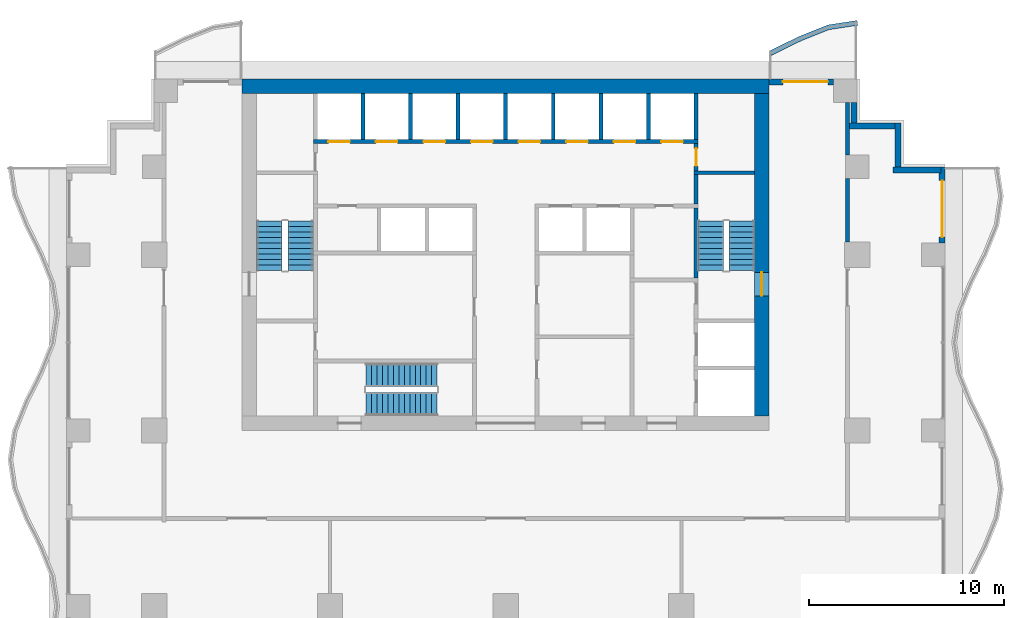
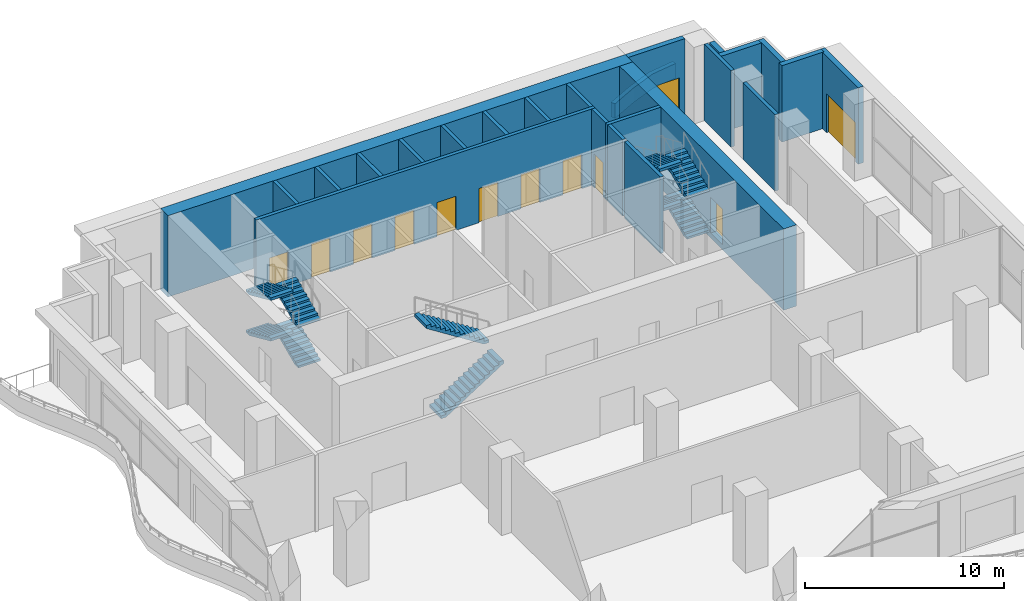
# One storey, part 10 of 14: 24 walls, 12 doors, 10 stair flights, 12 openings, 3 elements without a shape of their own.
"""IFC4 building model written with IfcOpenShell, lengths in metres."""

from ifc_helpers import new_model, si_unit, direction, frame, frame_2d, origin, place, context, subcontext, project, spatial, polyline, rectangle, outline, extrude, material, layer, layer_set, type_object, element, fill, aggregate, save


model = new_model("IFC4")

# Units and contexts
model_context = context("Model", 3, precision=1e-05, world=origin(), true_north=direction((0.0, 1.0)))
body_context = subcontext(model_context, "Body", "Model", "MODEL_VIEW")
ifc_project = project(units=[si_unit("LENGTHUNIT", "METRE"), si_unit("AREAUNIT", "SQUARE_METRE"), si_unit("VOLUMEUNIT", "CUBIC_METRE"), si_unit("PLANEANGLEUNIT", "RADIAN"), si_unit("MASSUNIT", "GRAM", prefix="KILO")], contexts=[model_context])

# Site, building, storey
site_placement = place(None, origin())
site = spatial("IfcSite", under=ifc_project, at=site_placement, CompositionType="ELEMENT")
building_placement = place(site_placement, origin())
building = spatial("IfcBuilding", under=site, at=building_placement, Name="Orbiselva Terraces", CompositionType="ELEMENT")
storey_placement = place(building_placement, frame((0.0, 0.0, 120.0)))
storey = spatial("IfcBuildingStorey", under=building, at=storey_placement, Name="L30", CompositionType="ELEMENT", Elevation=120.0)

# Wall, opening, door
ifc_material_1 = material(Name="Concrete C80/95", Category="concrete")
ifc_layer_1 = layer(ifc_material_1, 0.75)
ifc_layer_set_1 = layer_set([ifc_layer_1], Name="Concrete C80/95")
wall_type_1 = type_object("IfcWallType", Name="CORE WALL 750", PredefinedType="SHEAR", material=ifc_layer_set_1)
wall_1_placement = place(storey_placement, frame((13.125, 5.25, -0.3), z_axis=(0.0, 0.0, 1.0), x_axis=(0.0, 1.0, 0.0)))
wall_1 = element("IfcWall", 1, at=wall_1_placement, inside=storey, type_object=wall_type_1, Name="Core wall L30 east", PredefinedType="SHEAR", context=body_context, shape_type="SweptSolid", body=[
    extrude(rectangle(XDim=16.5, YDim=0.75, at=frame_2d((8.25, 0.0))), origin(), (0.0, 0.0, 1.0), 5.0),
])
opening_1_placement = place(wall_1_placement, frame((6.15, 0.0, 0.3)))
opening_1 = element("IfcOpeningElement", 2, at=opening_1_placement, cuts=wall_1, Name="Opening DS1200", PredefinedType="OPENING", context=body_context, shape_type="SweptSolid", body=[
    extrude(rectangle(XDim=1.2, YDim=2.2, at=frame_2d((0.6, 1.1))), frame((0.0, 0.385, 0.0), z_axis=(0.0, -1.0, 0.0), x_axis=(1.0, 0.0, 0.0)), (0.0, 0.0, 1.0), 0.77),
])
ifc_material_2 = material(Name="Steel fire door", Category="steel")
door_type_1 = type_object("IfcDoorType", Name="STAIR DOOR 1200", OperationType="NOTDEFINED", PredefinedType="DOOR", material=ifc_material_2)
door_1_placement = place(opening_1_placement, frame((1.2, 0.0, 0.0), z_axis=(0.0, 0.0, 1.0), x_axis=(-1.0, 0.0, 0.0)))
door_1 = element("IfcDoor", 3, at=door_1_placement, inside=storey, type_object=door_type_1, Name="L30 EXIT STAIR S2 door", OperationType="SINGLE_SWING_LEFT", OverallHeight=2.2, OverallWidth=1.2, PredefinedType="DOOR", context=body_context, shape_type="SweptSolid", body=[
    extrude(rectangle(XDim=1.2, YDim=2.2, at=frame_2d((0.6, 1.1))), frame((0.0, 0.025, 0.0), z_axis=(0.0, -1.0, 0.0), x_axis=(1.0, 0.0, 0.0)), (0.0, 0.0, 1.0), 0.05),
])
fill(opening_1, door_1)

# Wall
ifc_layer_2 = layer(ifc_material_1, 0.75)
ifc_layer_set_2 = layer_set([ifc_layer_2], Name="Concrete C80/95")
wall_type_2 = type_object("IfcWallType", Name="CORE WALL 750 EXTERNAL", PredefinedType="SHEAR", material=ifc_layer_set_2)
wall_2_placement = place(storey_placement, frame((13.5, 22.125, -0.3), z_axis=(0.0, 0.0, 1.0), x_axis=(-1.0, 0.0, 0.0)))
element("IfcWall", 4, at=wall_2_placement, inside=storey, type_object=wall_type_2, Name="Core wall L30 north", PredefinedType="SHEAR", context=body_context, shape_type="SweptSolid", body=[
    extrude(rectangle(XDim=27.0, YDim=0.75, at=frame_2d((13.5, 0.0))), origin(), (0.0, 0.0, 1.0), 5.0),
])

# Wall, opening, door
ifc_material_3 = material(Name="Masonry blockwork", Category="masonry")
ifc_layer_3 = layer(ifc_material_3, 0.2)
ifc_layer_set_3 = layer_set([ifc_layer_3], Name="Masonry blockwork")
wall_type_3 = type_object("IfcWallType", Name="CORE-WALL-PARTITION-200", PredefinedType="PARTITIONING", material=ifc_layer_set_3)
wall_3_placement = place(storey_placement, frame((9.75, 19.2, 0.0), z_axis=(0.0, 0.0, 1.0), x_axis=(0.0, -1.0, 0.0)))
wall_3 = element("IfcWall", 5, at=wall_3_placement, inside=storey, type_object=wall_type_3, Name="L30 core wall 46", PredefinedType="PARTITIONING", context=body_context, shape_type="SweptSolid", body=[
    extrude(rectangle(XDim=1.4, YDim=0.2, at=frame_2d((0.7, 0.0))), origin(), (0.0, 0.0, 1.0), 4.7),
])
opening_2_placement = place(wall_3_placement, frame((0.25, 0.0, 0.0)))
opening_2 = element("IfcOpeningElement", 6, at=opening_2_placement, cuts=wall_3, Name="Opening DR900", PredefinedType="OPENING", context=body_context, shape_type="SweptSolid", body=[
    extrude(rectangle(XDim=0.9, YDim=2.1, at=frame_2d((0.45, 1.05))), frame((0.0, 0.11, 0.0), z_axis=(0.0, -1.0, 0.0), x_axis=(1.0, 0.0, 0.0)), (0.0, 0.0, 1.0), 0.22),
])
door_type_2 = type_object("IfcDoorType", Name="ROOM DOOR 900", OperationType="NOTDEFINED", PredefinedType="DOOR", material=ifc_material_2)
door_2_placement = place(opening_2_placement, origin())
door_2 = element("IfcDoor", 7, at=door_2_placement, inside=storey, type_object=door_type_2, Name="L30 ELECTRICAL RISER ROOM door", OperationType="SINGLE_SWING_RIGHT", OverallHeight=2.1, OverallWidth=0.9, PredefinedType="DOOR", context=body_context, shape_type="SweptSolid", body=[
    extrude(rectangle(XDim=0.9, YDim=2.1, at=frame_2d((0.45, 1.05))), frame((0.0, 0.025, 0.0), z_axis=(0.0, -1.0, 0.0), x_axis=(1.0, 0.0, 0.0)), (0.0, 0.0, 1.0), 0.05),
])
fill(opening_2, door_2)

# Walls
ifc_material_4 = material(Name="Concrete C40/50", Category="concrete")
ifc_layer_4 = layer(ifc_material_4, 0.2)
ifc_layer_set_4 = layer_set([ifc_layer_4], Name="Concrete C40/50")
wall_type_4 = type_object("IfcWallType", Name="CORE-WALL-SHAFT-200", PredefinedType="PARTITIONING", material=ifc_layer_set_4)
for number, where, z_axis, x_axis, name in (
    (8, (-7.3125, 19.4, 0.0), (0.0, 0.0, 1.0), (0.0, 1.0, 0.0), "L30 core wall 14"),
    (9, (-4.875, 19.4, 0.0), (0.0, 0.0, 1.0), (0.0, 1.0, 0.0), "L30 core wall 16"),
    (10, (-2.4375, 19.4, 0.0), (0.0, 0.0, 1.0), (0.0, 1.0, 0.0), "L30 core wall 18"),
    (11, (0.0, 19.4, 0.0), (0.0, 0.0, 1.0), (0.0, 1.0, 0.0), "L30 core wall 22"),
    (12, (2.4375, 19.4, 0.0), (0.0, 0.0, 1.0), (0.0, 1.0, 0.0), "L30 core wall 29"),
    (13, (4.875, 19.4, 0.0), (0.0, 0.0, 1.0), (0.0, 1.0, 0.0), "L30 core wall 31"),
    (14, (7.3125, 19.4, 0.0), (0.0, 0.0, 1.0), (0.0, 1.0, 0.0), "L30 core wall 37"),
    (15, (9.75, 19.4, 0.0), (0.0, 0.0, 1.0), (0.0, 1.0, 0.0), "L30 core wall 47"),
):
    element("IfcWall", number, at=place(storey_placement, frame(where, z_axis=z_axis, x_axis=x_axis)), inside=storey, type_object=wall_type_4, Name=name, PredefinedType="PARTITIONING", context=body_context, shape_type="SweptSolid", body=[
        extrude(rectangle(XDim=2.35, YDim=0.2, at=frame_2d((1.175, 0.0))), origin(), (0.0, 0.0, 1.0), 4.7),
    ])

# Wall, openings, doors
ifc_material_5 = material(Name="Concrete C60/75", Category="concrete")
ifc_layer_5 = layer(ifc_material_5, 0.2)
ifc_layer_set_5 = layer_set([ifc_layer_5], Name="Concrete C60/75")
wall_type_5 = type_object("IfcWallType", Name="CORE-WALL-SHEAR-200", PredefinedType="SHEAR", material=ifc_layer_set_5)
wall_4_placement = place(storey_placement, frame((-9.85, 19.3, 0.0), z_axis=(0.0, 0.0, 1.0), x_axis=(1.0, 0.0, 0.0)))
wall_4 = element("IfcWall", 16, at=wall_4_placement, inside=storey, type_object=wall_type_5, Name="L30 core wall 12", PredefinedType="SHEAR", context=body_context, shape_type="SweptSolid", body=[
    extrude(rectangle(XDim=19.7, YDim=0.2, at=frame_2d((9.85, 0.0))), origin(), (0.0, 0.0, 1.0), 4.7),
])
opening_3_placement = place(wall_4_placement, frame((0.76875, 0.0, 0.0)))
opening_3 = element("IfcOpeningElement", 17, at=opening_3_placement, cuts=wall_4, Name="Opening LD-LR1", PredefinedType="OPENING", context=body_context, shape_type="SweptSolid", body=[
    extrude(rectangle(XDim=1.1, YDim=2.1, at=frame_2d((0.55, 1.05))), frame((0.0, 0.11, 0.0), z_axis=(0.0, -1.0, 0.0), x_axis=(1.0, 0.0, 0.0)), (0.0, 0.0, 1.0), 0.22),
])
opening_4_placement = place(wall_4_placement, frame((3.20625, 0.0, 0.0)))
opening_4 = element("IfcOpeningElement", 18, at=opening_4_placement, cuts=wall_4, Name="Opening LD-LR2", PredefinedType="OPENING", context=body_context, shape_type="SweptSolid", body=[
    extrude(rectangle(XDim=1.1, YDim=2.1, at=frame_2d((0.55, 1.05))), frame((0.0, 0.11, 0.0), z_axis=(0.0, -1.0, 0.0), x_axis=(1.0, 0.0, 0.0)), (0.0, 0.0, 1.0), 0.22),
])
opening_5_placement = place(wall_4_placement, frame((5.64375, 0.0, 0.0)))
opening_5 = element("IfcOpeningElement", 19, at=opening_5_placement, cuts=wall_4, Name="Opening LD-LR3", PredefinedType="OPENING", context=body_context, shape_type="SweptSolid", body=[
    extrude(rectangle(XDim=1.1, YDim=2.1, at=frame_2d((0.55, 1.05))), frame((0.0, 0.11, 0.0), z_axis=(0.0, -1.0, 0.0), x_axis=(1.0, 0.0, 0.0)), (0.0, 0.0, 1.0), 0.22),
])
opening_6_placement = place(wall_4_placement, frame((8.08125, 0.0, 0.0)))
opening_6 = element("IfcOpeningElement", 20, at=opening_6_placement, cuts=wall_4, Name="Opening LD-LR4", PredefinedType="OPENING", context=body_context, shape_type="SweptSolid", body=[
    extrude(rectangle(XDim=1.1, YDim=2.1, at=frame_2d((0.55, 1.05))), frame((0.0, 0.11, 0.0), z_axis=(0.0, -1.0, 0.0), x_axis=(1.0, 0.0, 0.0)), (0.0, 0.0, 1.0), 0.22),
])
opening_7_placement = place(wall_4_placement, frame((10.51875, 0.0, 0.0)))
opening_7 = element("IfcOpeningElement", 21, at=opening_7_placement, cuts=wall_4, Name="Opening LD-HR1", PredefinedType="OPENING", context=body_context, shape_type="SweptSolid", body=[
    extrude(rectangle(XDim=1.1, YDim=2.1, at=frame_2d((0.55, 1.05))), frame((0.0, 0.11, 0.0), z_axis=(0.0, -1.0, 0.0), x_axis=(1.0, 0.0, 0.0)), (0.0, 0.0, 1.0), 0.22),
])
opening_8_placement = place(wall_4_placement, frame((12.95625, 0.0, 0.0)))
opening_8 = element("IfcOpeningElement", 22, at=opening_8_placement, cuts=wall_4, Name="Opening LD-HR2", PredefinedType="OPENING", context=body_context, shape_type="SweptSolid", body=[
    extrude(rectangle(XDim=1.1, YDim=2.1, at=frame_2d((0.55, 1.05))), frame((0.0, 0.11, 0.0), z_axis=(0.0, -1.0, 0.0), x_axis=(1.0, 0.0, 0.0)), (0.0, 0.0, 1.0), 0.22),
])
opening_9_placement = place(wall_4_placement, frame((15.39375, 0.0, 0.0)))
opening_9 = element("IfcOpeningElement", 23, at=opening_9_placement, cuts=wall_4, Name="Opening LD-HR3", PredefinedType="OPENING", context=body_context, shape_type="SweptSolid", body=[
    extrude(rectangle(XDim=1.1, YDim=2.1, at=frame_2d((0.55, 1.05))), frame((0.0, 0.11, 0.0), z_axis=(0.0, -1.0, 0.0), x_axis=(1.0, 0.0, 0.0)), (0.0, 0.0, 1.0), 0.22),
])
opening_10_placement = place(wall_4_placement, frame((17.83125, 0.0, 0.0)))
opening_10 = element("IfcOpeningElement", 24, at=opening_10_placement, cuts=wall_4, Name="Opening LD-HR4", PredefinedType="OPENING", context=body_context, shape_type="SweptSolid", body=[
    extrude(rectangle(XDim=1.1, YDim=2.1, at=frame_2d((0.55, 1.05))), frame((0.0, 0.11, 0.0), z_axis=(0.0, -1.0, 0.0), x_axis=(1.0, 0.0, 0.0)), (0.0, 0.0, 1.0), 0.22),
])
ifc_material_6 = material(Name="Stainless steel landing door", Category="steel")
door_type_3 = type_object("IfcDoorType", Name="LANDING DOOR 1100", OperationType="SLIDING_TO_LEFT", PredefinedType="DOOR", material=ifc_material_6)
door_3_placement = place(opening_3_placement, origin())
door_3 = element("IfcDoor", 25, at=door_3_placement, inside=storey, type_object=door_type_3, Name="L30 landing door LR1", OperationType="SLIDING_TO_LEFT", OverallHeight=2.1, OverallWidth=1.1, PredefinedType="DOOR", context=body_context, shape_type="SweptSolid", body=[
    extrude(rectangle(XDim=1.1, YDim=2.1, at=frame_2d((0.55, 1.05))), frame((0.0, 0.025, 0.0), z_axis=(0.0, -1.0, 0.0), x_axis=(1.0, 0.0, 0.0)), (0.0, 0.0, 1.0), 0.05),
])
fill(opening_3, door_3)
door_4_placement = place(opening_4_placement, origin())
door_4 = element("IfcDoor", 26, at=door_4_placement, inside=storey, type_object=door_type_3, Name="L30 landing door LR2", OperationType="SLIDING_TO_LEFT", OverallHeight=2.1, OverallWidth=1.1, PredefinedType="DOOR", context=body_context, shape_type="SweptSolid", body=[
    extrude(rectangle(XDim=1.1, YDim=2.1, at=frame_2d((0.55, 1.05))), frame((0.0, 0.025, 0.0), z_axis=(0.0, -1.0, 0.0), x_axis=(1.0, 0.0, 0.0)), (0.0, 0.0, 1.0), 0.05),
])
fill(opening_4, door_4)
door_5_placement = place(opening_5_placement, origin())
door_5 = element("IfcDoor", 27, at=door_5_placement, inside=storey, type_object=door_type_3, Name="L30 landing door LR3", OperationType="SLIDING_TO_LEFT", OverallHeight=2.1, OverallWidth=1.1, PredefinedType="DOOR", context=body_context, shape_type="SweptSolid", body=[
    extrude(rectangle(XDim=1.1, YDim=2.1, at=frame_2d((0.55, 1.05))), frame((0.0, 0.025, 0.0), z_axis=(0.0, -1.0, 0.0), x_axis=(1.0, 0.0, 0.0)), (0.0, 0.0, 1.0), 0.05),
])
fill(opening_5, door_5)
door_6_placement = place(opening_6_placement, origin())
door_6 = element("IfcDoor", 28, at=door_6_placement, inside=storey, type_object=door_type_3, Name="L30 landing door LR4", OperationType="SLIDING_TO_LEFT", OverallHeight=2.1, OverallWidth=1.1, PredefinedType="DOOR", context=body_context, shape_type="SweptSolid", body=[
    extrude(rectangle(XDim=1.1, YDim=2.1, at=frame_2d((0.55, 1.05))), frame((0.0, 0.025, 0.0), z_axis=(0.0, -1.0, 0.0), x_axis=(1.0, 0.0, 0.0)), (0.0, 0.0, 1.0), 0.05),
])
fill(opening_6, door_6)
door_7_placement = place(opening_7_placement, origin())
door_7 = element("IfcDoor", 29, at=door_7_placement, inside=storey, type_object=door_type_3, Name="L30 landing door HR1", OperationType="SLIDING_TO_RIGHT", OverallHeight=2.1, OverallWidth=1.1, PredefinedType="DOOR", context=body_context, shape_type="SweptSolid", body=[
    extrude(rectangle(XDim=1.1, YDim=2.1, at=frame_2d((0.55, 1.05))), frame((0.0, 0.025, 0.0), z_axis=(0.0, -1.0, 0.0), x_axis=(1.0, 0.0, 0.0)), (0.0, 0.0, 1.0), 0.05),
])
fill(opening_7, door_7)
door_8_placement = place(opening_8_placement, origin())
door_8 = element("IfcDoor", 30, at=door_8_placement, inside=storey, type_object=door_type_3, Name="L30 landing door HR2", OperationType="SLIDING_TO_RIGHT", OverallHeight=2.1, OverallWidth=1.1, PredefinedType="DOOR", context=body_context, shape_type="SweptSolid", body=[
    extrude(rectangle(XDim=1.1, YDim=2.1, at=frame_2d((0.55, 1.05))), frame((0.0, 0.025, 0.0), z_axis=(0.0, -1.0, 0.0), x_axis=(1.0, 0.0, 0.0)), (0.0, 0.0, 1.0), 0.05),
])
fill(opening_8, door_8)
door_9_placement = place(opening_9_placement, origin())
door_9 = element("IfcDoor", 31, at=door_9_placement, inside=storey, type_object=door_type_3, Name="L30 landing door HR3", OperationType="SLIDING_TO_RIGHT", OverallHeight=2.1, OverallWidth=1.1, PredefinedType="DOOR", context=body_context, shape_type="SweptSolid", body=[
    extrude(rectangle(XDim=1.1, YDim=2.1, at=frame_2d((0.55, 1.05))), frame((0.0, 0.025, 0.0), z_axis=(0.0, -1.0, 0.0), x_axis=(1.0, 0.0, 0.0)), (0.0, 0.0, 1.0), 0.05),
])
fill(opening_9, door_9)
door_10_placement = place(opening_10_placement, origin())
door_10 = element("IfcDoor", 32, at=door_10_placement, inside=storey, type_object=door_type_3, Name="L30 landing door HR4", OperationType="SLIDING_TO_RIGHT", OverallHeight=2.1, OverallWidth=1.1, PredefinedType="DOOR", context=body_context, shape_type="SweptSolid", body=[
    extrude(rectangle(XDim=1.1, YDim=2.1, at=frame_2d((0.55, 1.05))), frame((0.0, 0.025, 0.0), z_axis=(0.0, -1.0, 0.0), x_axis=(1.0, 0.0, 0.0)), (0.0, 0.0, 1.0), 0.05),
])
fill(opening_10, door_10)

# Walls
wall_5_placement = place(storey_placement, frame((9.75, 12.3, 0.0), z_axis=(0.0, 0.0, 1.0), x_axis=(0.0, 1.0, 0.0)))
element("IfcWall", 33, at=wall_5_placement, inside=storey, type_object=wall_type_5, Name="L30 core wall 43", PredefinedType="SHEAR", context=body_context, shape_type="SweptSolid", body=[
    extrude(rectangle(XDim=3.6, YDim=0.2, at=frame_2d((1.8, 0.0))), origin(), (0.0, 0.0, 1.0), 4.7),
])
wall_6_placement = place(storey_placement, frame((9.75, 16.1, 0.0), z_axis=(0.0, 0.0, 1.0), x_axis=(0.0, 1.0, 0.0)))
element("IfcWall", 34, at=wall_6_placement, inside=storey, type_object=wall_type_5, Name="L30 core wall 44", PredefinedType="SHEAR", context=body_context, shape_type="SweptSolid", body=[
    extrude(rectangle(XDim=1.5, YDim=0.2, at=frame_2d((0.75, 0.0))), origin(), (0.0, 0.0, 1.0), 4.7),
])
wall_7_placement = place(storey_placement, frame((9.65, 17.7, 0.0), z_axis=(0.0, 0.0, 1.0), x_axis=(1.0, 0.0, 0.0)))
element("IfcWall", 35, at=wall_7_placement, inside=storey, type_object=wall_type_5, Name="L30 core wall 45", PredefinedType="SHEAR", context=body_context, shape_type="SweptSolid", body=[
    extrude(rectangle(XDim=3.1, YDim=0.2, at=frame_2d((1.55, 0.0))), origin(), (0.0, 0.0, 1.0), 4.7),
])
ifc_layer_6 = layer(ifc_material_4, 0.25)
ifc_layer_set_6 = layer_set([ifc_layer_6], Name="Concrete C40/50")
wall_type_6 = type_object("IfcWallType", Name="ENV-PLANTER-250x900", PredefinedType="USERDEFINED", material=ifc_layer_set_6)
wall_8_placement = place(storey_placement, origin())
element("IfcWall", 36, at=wall_8_placement, inside=storey, type_object=wall_type_6, Name="Balcony planter L30 NE", ObjectType="PLANTER", PredefinedType="USERDEFINED", context=body_context, shape_type="SweptSolid", body=[
    extrude(outline(polyline([(18.0, 25.5), (16.5, 25.27082), (15.0, 24.67082), (13.5, 23.92918), (13.610803, 23.705076), (15.101983, 24.442355), (16.566166, 25.028028), (18.037758, 25.252868), (18.0, 25.5)])), origin(), (0.0, 0.0, 1.0), 0.9),
])

# Wall, opening, door
ifc_material_7 = material(Name="Terracotta cladding on masonry backing", Category="masonry")
ifc_layer_7 = layer(ifc_material_7, 0.3)
ifc_layer_set_7 = layer_set([ifc_layer_7], Name="Terracotta cladding on masonry backing")
wall_type_7 = type_object("IfcWallType", Name="ENV-WALL-TERRACOTTA-300", PredefinedType="SOLIDWALL", material=ifc_layer_set_7)
wall_9_placement = place(storey_placement, frame((22.35, 18.0, 0.0), z_axis=(0.0, 0.0, 1.0), x_axis=(0.0, -1.0, 0.0)))
wall_9 = element("IfcWall", 37, at=wall_9_placement, inside=storey, type_object=wall_type_7, Name="Facade wall L30 E", PredefinedType="SOLIDWALL", context=body_context, shape_type="SweptSolid", body=[
    extrude(rectangle(XDim=3.9, YDim=0.3, at=frame_2d((1.95, 0.0))), origin(), (0.0, 0.0, 1.0), 4.7),
])
opening_11_placement = place(wall_9_placement, frame((0.7, 0.0, 0.0)))
opening_11 = element("IfcOpeningElement", 38, at=opening_11_placement, cuts=wall_9, Name="Opening SKY-2-E06", PredefinedType="OPENING", context=body_context, shape_type="SweptSolid", body=[
    extrude(rectangle(XDim=2.9, YDim=2.4, at=frame_2d((1.45, 1.2))), frame((0.0, 0.16, 0.0), z_axis=(0.0, -1.0, 0.0), x_axis=(1.0, 0.0, 0.0)), (0.0, 0.0, 1.0), 0.32),
])
ifc_material_8 = material(Name="Clear low-e glazing in aluminium frame", Category="aluminium")
door_type_4 = type_object("IfcDoorType", Name="BALCONY DOOR 2900 X 2400", OperationType="DOUBLE_DOOR_SLIDING", PredefinedType="DOOR", material=ifc_material_8)
door_11_placement = place(opening_11_placement, origin())
door_11 = element("IfcDoor", 39, at=door_11_placement, inside=storey, type_object=door_type_4, Name="SKY-2-E06", OperationType="SINGLE_SWING_LEFT", OverallHeight=2.4, OverallWidth=2.9, PredefinedType="DOOR", context=body_context, shape_type="SweptSolid", body=[
    extrude(rectangle(XDim=2.9, YDim=2.4, at=frame_2d((1.45, 1.2))), frame((0.0, 0.025, 0.0), z_axis=(0.0, -1.0, 0.0), x_axis=(1.0, 0.0, 0.0)), (0.0, 0.0, 1.0), 0.05),
])
fill(opening_11, door_11)

# Walls
wall_10_placement = place(storey_placement, frame((19.85, 17.85, 0.0), z_axis=(0.0, 0.0, 1.0), x_axis=(1.0, 0.0, 0.0)))
element("IfcWall", 40, at=wall_10_placement, inside=storey, type_object=wall_type_7, Name="Facade wall L30 STEP", PredefinedType="SOLIDWALL", context=body_context, shape_type="SweptSolid", body=[
    extrude(rectangle(XDim=2.45, YDim=0.3, at=frame_2d((1.225, 0.0))), origin(), (0.0, 0.0, 1.0), 4.7),
])
wall_11_placement = place(storey_placement, frame((20.1, 20.25, 0.0), z_axis=(0.0, 0.0, 1.0), x_axis=(0.0, -1.0, 0.0)))
element("IfcWall", 41, at=wall_11_placement, inside=storey, type_object=wall_type_7, Name="Facade wall L30 STEP", PredefinedType="SOLIDWALL", context=body_context, shape_type="SweptSolid", body=[
    extrude(rectangle(XDim=2.25, YDim=0.3, at=frame_2d((1.125, 0.0))), origin(), (0.0, 0.0, 1.0), 4.7),
])
wall_12_placement = place(storey_placement, frame((17.6, 20.1, 0.0), z_axis=(0.0, 0.0, 1.0), x_axis=(1.0, 0.0, 0.0)))
element("IfcWall", 42, at=wall_12_placement, inside=storey, type_object=wall_type_7, Name="Facade wall L30 STEP", PredefinedType="SOLIDWALL", context=body_context, shape_type="SweptSolid", body=[
    extrude(rectangle(XDim=2.35, YDim=0.3, at=frame_2d((1.175, 0.0))), origin(), (0.0, 0.0, 1.0), 4.7),
])
wall_13_placement = place(storey_placement, frame((17.85, 21.3, 0.0), z_axis=(0.0, 0.0, 1.0), x_axis=(0.0, -1.0, 0.0)))
element("IfcWall", 43, at=wall_13_placement, inside=storey, type_object=wall_type_7, Name="Facade wall L30 STEP", PredefinedType="SOLIDWALL", context=body_context, shape_type="SweptSolid", body=[
    extrude(rectangle(XDim=1.05, YDim=0.3, at=frame_2d((0.525, 0.0))), origin(), (0.0, 0.0, 1.0), 4.7),
])

# Wall, opening, door
wall_14_placement = place(storey_placement, frame((13.5, 22.35, 0.0), z_axis=(0.0, 0.0, 1.0), x_axis=(1.0, 0.0, 0.0)))
wall_14 = element("IfcWall", 44, at=wall_14_placement, inside=storey, type_object=wall_type_7, Name="Facade wall L30 NE", PredefinedType="SOLIDWALL", context=body_context, shape_type="SweptSolid", body=[
    extrude(rectangle(XDim=3.3, YDim=0.3, at=frame_2d((1.65, 0.0))), origin(), (0.0, 0.0, 1.0), 4.7),
])
opening_12_placement = place(wall_14_placement, frame((0.7, 0.0, 0.0)))
opening_12 = element("IfcOpeningElement", 45, at=opening_12_placement, cuts=wall_14, Name="Opening SKY-2-E07", PredefinedType="OPENING", context=body_context, shape_type="SweptSolid", body=[
    extrude(rectangle(XDim=2.3, YDim=2.4, at=frame_2d((1.15, 1.2))), frame((0.0, 0.16, 0.0), z_axis=(0.0, -1.0, 0.0), x_axis=(1.0, 0.0, 0.0)), (0.0, 0.0, 1.0), 0.32),
])
door_type_5 = type_object("IfcDoorType", Name="BALCONY DOOR 2300 X 2400", OperationType="DOUBLE_DOOR_SLIDING", PredefinedType="DOOR", material=ifc_material_8)
door_12_placement = place(opening_12_placement, origin())
door_12 = element("IfcDoor", 46, at=door_12_placement, inside=storey, type_object=door_type_5, Name="SKY-2-E07", OperationType="SINGLE_SWING_LEFT", OverallHeight=2.4, OverallWidth=2.3, PredefinedType="DOOR", context=body_context, shape_type="SweptSolid", body=[
    extrude(rectangle(XDim=2.3, YDim=2.4, at=frame_2d((1.15, 1.2))), frame((0.0, 0.025, 0.0), z_axis=(0.0, -1.0, 0.0), x_axis=(1.0, 0.0, 0.0)), (0.0, 0.0, 1.0), 0.05),
])
fill(opening_12, door_12)

# Walls
ifc_material_9 = material(Name="Plasterboard on steel stud partition", Category="steel")
ifc_layer_8 = layer(ifc_material_9, 0.2)
ifc_layer_set_8 = layer_set([ifc_layer_8], Name="Plasterboard on steel stud partition")
wall_type_8 = type_object("IfcWallType", Name="UNIT-ENTRANCE-WALL-200", PredefinedType="PARTITIONING", material=ifc_layer_set_8)
wall_15_placement = place(storey_placement, frame((17.5, 14.15, 0.0), z_axis=(0.0, 0.0, 1.0), x_axis=(0.0, 1.0, 0.0)))
element("IfcWall", 47, at=wall_15_placement, inside=storey, type_object=wall_type_8, Name="PARTITION L30-017", PredefinedType="PARTITIONING", context=body_context, shape_type="SweptSolid", body=[
    extrude(rectangle(XDim=3.25, YDim=0.2, at=frame_2d((1.625, 0.0))), origin(), (0.0, 0.0, 1.0), 4.7),
])
wall_16_placement = place(storey_placement, frame((17.5, 18.6, 0.0), z_axis=(0.0, 0.0, 1.0), x_axis=(0.0, 1.0, 0.0)))
element("IfcWall", 48, at=wall_16_placement, inside=storey, type_object=wall_type_8, Name="PARTITION L30-018", PredefinedType="PARTITIONING", context=body_context, shape_type="SweptSolid", body=[
    extrude(rectangle(XDim=2.7, YDim=0.2, at=frame_2d((1.35, 0.0))), origin(), (0.0, 0.0, 1.0), 4.7),
])

# Stair, stair flights
stair_type_1 = type_object("IfcStairType", Name="CORE-STAIR-1200", PredefinedType="HALF_TURN_STAIR", material=ifc_material_4)
stair_1_placement = place(storey_placement, origin())
stair_1 = element("IfcStair", 49, at=stair_1_placement, inside=storey, type_object=stair_type_1, Name="L30 Exit Stair S3", PredefinedType="HALF_TURN_STAIR")
stair_flight_type_1 = type_object("IfcStairFlightType", Name="CORE-STAIR-FLIGHT-1200", PredefinedType="STRAIGHT", material=ifc_material_4)
stair_flight_1_placement = place(storey_placement, frame((-7.15, 5.85, 0.0), z_axis=(0.0, 0.0, 1.0), x_axis=(1.0, 0.0, 0.0)))
stair_flight_1 = element("IfcStairFlight", 50, at=stair_flight_1_placement, type_object=stair_flight_type_1, Name="S3 flight 1", NumberOfRisers=14, NumberOfTreads=13, PredefinedType="STRAIGHT", RiserHeight=0.178571429, TreadLength=0.28, context=body_context, shape_type="SweptSolid", body=[
    extrude(outline(polyline([(0.0, 0.0), (0.0, 0.178571), (0.28, 0.178571), (0.28, 0.357143), (0.56, 0.357143), (0.56, 0.535714), (0.84, 0.535714), (0.84, 0.714286), (1.12, 0.714286), (1.12, 0.892857), (1.4, 0.892857), (1.4, 1.071429), (1.68, 1.071429), (1.68, 1.25), (1.96, 1.25), (1.96, 1.428571), (2.24, 1.428571), (2.24, 1.607143), (2.52, 1.607143), (2.52, 1.785714), (2.8, 1.785714), (2.8, 1.964286), (3.08, 1.964286), (3.08, 2.142857), (3.36, 2.142857), (3.36, 2.321429), (3.64, 2.321429), (3.64, 2.5), (3.64, 2.14352), (0.278961, 0.0), (0.0, 0.0)])), frame((0.0, 0.6, 0.0), z_axis=(0.0, -1.0, 0.0), x_axis=(1.0, 0.0, 0.0)), (0.0, 0.0, 1.0), 1.2),
])
stair_flight_2_placement = place(storey_placement, frame((-3.51, 7.35, 2.5), z_axis=(0.0, 0.0, 1.0), x_axis=(-1.0, 0.0, 0.0)))
stair_flight_2 = element("IfcStairFlight", 51, at=stair_flight_2_placement, type_object=stair_flight_type_1, Name="S3 flight 2", NumberOfRisers=14, NumberOfTreads=13, PredefinedType="STRAIGHT", RiserHeight=0.178571429, TreadLength=0.28, context=body_context, shape_type="SweptSolid", body=[
    extrude(outline(polyline([(0.0, 0.0), (0.0, 0.178571), (0.28, 0.178571), (0.28, 0.357143), (0.56, 0.357143), (0.56, 0.535714), (0.84, 0.535714), (0.84, 0.714286), (1.12, 0.714286), (1.12, 0.892857), (1.4, 0.892857), (1.4, 1.071429), (1.68, 1.071429), (1.68, 1.25), (1.96, 1.25), (1.96, 1.428571), (2.24, 1.428571), (2.24, 1.607143), (2.52, 1.607143), (2.52, 1.785714), (2.8, 1.785714), (2.8, 1.964286), (3.08, 1.964286), (3.08, 2.142857), (3.36, 2.142857), (3.36, 2.321429), (3.64, 2.321429), (3.64, 2.5), (3.64, 2.14352), (0.278961, 0.0), (0.0, 0.0)])), frame((0.0, 0.6, 0.0), z_axis=(0.0, -1.0, 0.0), x_axis=(1.0, 0.0, 0.0)), (0.0, 0.0, 1.0), 1.2),
])
aggregate(stair_1, [stair_flight_1, stair_flight_2])

stair_type_2 = type_object("IfcStairType", Name="CORE-STAIR-1300", PredefinedType="HALF_TURN_STAIR", material=ifc_material_4)
stair_2_placement = place(storey_placement, origin())
stair_2 = element("IfcStair", 52, at=stair_2_placement, inside=storey, type_object=stair_type_2, Name="L30 Exit Stair S1", PredefinedType="HALF_TURN_STAIR")
stair_flight_type_2 = type_object("IfcStairFlightType", Name="CORE-STAIR-FLIGHT-1300", PredefinedType="STRAIGHT", material=ifc_material_4)
stair_flight_3_placement = place(storey_placement, frame((-10.5, 12.7, 0.0), z_axis=(0.0, 0.0, 1.0), x_axis=(0.0, 1.0, 0.0)))
stair_flight_3 = element("IfcStairFlight", 53, at=stair_flight_3_placement, type_object=stair_flight_type_2, Name="S1 flight 1", NumberOfRisers=10, NumberOfTreads=9, PredefinedType="STRAIGHT", RiserHeight=0.125, TreadLength=0.28, context=body_context, shape_type="SweptSolid", body=[
    extrude(outline(polyline([(0.0, 0.0), (0.0, 0.125), (0.28, 0.125), (0.28, 0.25), (0.56, 0.25), (0.56, 0.375), (0.84, 0.375), (0.84, 0.5), (1.12, 0.5), (1.12, 0.625), (1.4, 0.625), (1.4, 0.75), (1.68, 0.75), (1.68, 0.875), (1.96, 0.875), (1.96, 1.0), (2.24, 1.0), (2.24, 1.125), (2.52, 1.125), (2.52, 1.25), (2.52, 0.960731), (0.367962, 0.0), (0.0, 0.0)])), frame((0.0, 0.65, 0.0), z_axis=(0.0, -1.0, 0.0), x_axis=(1.0, 0.0, 0.0)), (0.0, 0.0, 1.0), 1.3),
])
stair_flight_4_placement = place(storey_placement, frame((-12.1, 15.22, 1.25), z_axis=(0.0, 0.0, 1.0), x_axis=(0.0, -1.0, 0.0)))
stair_flight_4 = element("IfcStairFlight", 54, at=stair_flight_4_placement, type_object=stair_flight_type_2, Name="S1 flight 2", NumberOfRisers=10, NumberOfTreads=9, PredefinedType="STRAIGHT", RiserHeight=0.125, TreadLength=0.28, context=body_context, shape_type="SweptSolid", body=[
    extrude(outline(polyline([(0.0, 0.0), (0.0, 0.125), (0.28, 0.125), (0.28, 0.25), (0.56, 0.25), (0.56, 0.375), (0.84, 0.375), (0.84, 0.5), (1.12, 0.5), (1.12, 0.625), (1.4, 0.625), (1.4, 0.75), (1.68, 0.75), (1.68, 0.875), (1.96, 0.875), (1.96, 1.0), (2.24, 1.0), (2.24, 1.125), (2.52, 1.125), (2.52, 1.25), (2.52, 0.960731), (0.367962, 0.0), (0.0, 0.0)])), frame((0.0, 0.65, 0.0), z_axis=(0.0, -1.0, 0.0), x_axis=(1.0, 0.0, 0.0)), (0.0, 0.0, 1.0), 1.3),
])
stair_flight_5_placement = place(storey_placement, frame((-10.5, 12.7, 2.5), z_axis=(0.0, 0.0, 1.0), x_axis=(0.0, 1.0, 0.0)))
stair_flight_5 = element("IfcStairFlight", 55, at=stair_flight_5_placement, type_object=stair_flight_type_2, Name="S1 flight 3", NumberOfRisers=10, NumberOfTreads=9, PredefinedType="STRAIGHT", RiserHeight=0.125, TreadLength=0.28, context=body_context, shape_type="SweptSolid", body=[
    extrude(outline(polyline([(0.0, 0.0), (0.0, 0.125), (0.28, 0.125), (0.28, 0.25), (0.56, 0.25), (0.56, 0.375), (0.84, 0.375), (0.84, 0.5), (1.12, 0.5), (1.12, 0.625), (1.4, 0.625), (1.4, 0.75), (1.68, 0.75), (1.68, 0.875), (1.96, 0.875), (1.96, 1.0), (2.24, 1.0), (2.24, 1.125), (2.52, 1.125), (2.52, 1.25), (2.52, 0.960731), (0.367962, 0.0), (0.0, 0.0)])), frame((0.0, 0.65, 0.0), z_axis=(0.0, -1.0, 0.0), x_axis=(1.0, 0.0, 0.0)), (0.0, 0.0, 1.0), 1.3),
])
stair_flight_6_placement = place(storey_placement, frame((-12.1, 15.22, 3.75), z_axis=(0.0, 0.0, 1.0), x_axis=(0.0, -1.0, 0.0)))
stair_flight_6 = element("IfcStairFlight", 56, at=stair_flight_6_placement, type_object=stair_flight_type_2, Name="S1 flight 4", NumberOfRisers=10, NumberOfTreads=9, PredefinedType="STRAIGHT", RiserHeight=0.125, TreadLength=0.28, context=body_context, shape_type="SweptSolid", body=[
    extrude(outline(polyline([(0.0, 0.0), (0.0, 0.125), (0.28, 0.125), (0.28, 0.25), (0.56, 0.25), (0.56, 0.375), (0.84, 0.375), (0.84, 0.5), (1.12, 0.5), (1.12, 0.625), (1.4, 0.625), (1.4, 0.75), (1.68, 0.75), (1.68, 0.875), (1.96, 0.875), (1.96, 1.0), (2.24, 1.0), (2.24, 1.125), (2.52, 1.125), (2.52, 1.25), (2.52, 0.960731), (0.367962, 0.0), (0.0, 0.0)])), frame((0.0, 0.65, 0.0), z_axis=(0.0, -1.0, 0.0), x_axis=(1.0, 0.0, 0.0)), (0.0, 0.0, 1.0), 1.3),
])
aggregate(stair_2, [stair_flight_3, stair_flight_4, stair_flight_5, stair_flight_6])

stair_3_placement = place(storey_placement, origin())
stair_3 = element("IfcStair", 57, at=stair_3_placement, inside=storey, type_object=stair_type_2, Name="L30 Exit Stair S2", PredefinedType="HALF_TURN_STAIR")
stair_flight_7_placement = place(storey_placement, frame((12.1, 12.7, 0.0), z_axis=(0.0, 0.0, 1.0), x_axis=(0.0, 1.0, 0.0)))
stair_flight_7 = element("IfcStairFlight", 58, at=stair_flight_7_placement, type_object=stair_flight_type_2, Name="S2 flight 1", NumberOfRisers=10, NumberOfTreads=9, PredefinedType="STRAIGHT", RiserHeight=0.125, TreadLength=0.28, context=body_context, shape_type="SweptSolid", body=[
    extrude(outline(polyline([(0.0, 0.0), (0.0, 0.125), (0.28, 0.125), (0.28, 0.25), (0.56, 0.25), (0.56, 0.375), (0.84, 0.375), (0.84, 0.5), (1.12, 0.5), (1.12, 0.625), (1.4, 0.625), (1.4, 0.75), (1.68, 0.75), (1.68, 0.875), (1.96, 0.875), (1.96, 1.0), (2.24, 1.0), (2.24, 1.125), (2.52, 1.125), (2.52, 1.25), (2.52, 0.960731), (0.367962, 0.0), (0.0, 0.0)])), frame((0.0, 0.65, 0.0), z_axis=(0.0, -1.0, 0.0), x_axis=(1.0, 0.0, 0.0)), (0.0, 0.0, 1.0), 1.3),
])
stair_flight_8_placement = place(storey_placement, frame((10.5, 15.22, 1.25), z_axis=(0.0, 0.0, 1.0), x_axis=(0.0, -1.0, 0.0)))
stair_flight_8 = element("IfcStairFlight", 59, at=stair_flight_8_placement, type_object=stair_flight_type_2, Name="S2 flight 2", NumberOfRisers=10, NumberOfTreads=9, PredefinedType="STRAIGHT", RiserHeight=0.125, TreadLength=0.28, context=body_context, shape_type="SweptSolid", body=[
    extrude(outline(polyline([(0.0, 0.0), (0.0, 0.125), (0.28, 0.125), (0.28, 0.25), (0.56, 0.25), (0.56, 0.375), (0.84, 0.375), (0.84, 0.5), (1.12, 0.5), (1.12, 0.625), (1.4, 0.625), (1.4, 0.75), (1.68, 0.75), (1.68, 0.875), (1.96, 0.875), (1.96, 1.0), (2.24, 1.0), (2.24, 1.125), (2.52, 1.125), (2.52, 1.25), (2.52, 0.960731), (0.367962, 0.0), (0.0, 0.0)])), frame((0.0, 0.65, 0.0), z_axis=(0.0, -1.0, 0.0), x_axis=(1.0, 0.0, 0.0)), (0.0, 0.0, 1.0), 1.3),
])
stair_flight_9_placement = place(storey_placement, frame((12.1, 12.7, 2.5), z_axis=(0.0, 0.0, 1.0), x_axis=(0.0, 1.0, 0.0)))
stair_flight_9 = element("IfcStairFlight", 60, at=stair_flight_9_placement, type_object=stair_flight_type_2, Name="S2 flight 3", NumberOfRisers=10, NumberOfTreads=9, PredefinedType="STRAIGHT", RiserHeight=0.125, TreadLength=0.28, context=body_context, shape_type="SweptSolid", body=[
    extrude(outline(polyline([(0.0, 0.0), (0.0, 0.125), (0.28, 0.125), (0.28, 0.25), (0.56, 0.25), (0.56, 0.375), (0.84, 0.375), (0.84, 0.5), (1.12, 0.5), (1.12, 0.625), (1.4, 0.625), (1.4, 0.75), (1.68, 0.75), (1.68, 0.875), (1.96, 0.875), (1.96, 1.0), (2.24, 1.0), (2.24, 1.125), (2.52, 1.125), (2.52, 1.25), (2.52, 0.960731), (0.367962, 0.0), (0.0, 0.0)])), frame((0.0, 0.65, 0.0), z_axis=(0.0, -1.0, 0.0), x_axis=(1.0, 0.0, 0.0)), (0.0, 0.0, 1.0), 1.3),
])
stair_flight_10_placement = place(storey_placement, frame((10.5, 15.22, 3.75), z_axis=(0.0, 0.0, 1.0), x_axis=(0.0, -1.0, 0.0)))
stair_flight_10 = element("IfcStairFlight", 61, at=stair_flight_10_placement, type_object=stair_flight_type_2, Name="S2 flight 4", NumberOfRisers=10, NumberOfTreads=9, PredefinedType="STRAIGHT", RiserHeight=0.125, TreadLength=0.28, context=body_context, shape_type="SweptSolid", body=[
    extrude(outline(polyline([(0.0, 0.0), (0.0, 0.125), (0.28, 0.125), (0.28, 0.25), (0.56, 0.25), (0.56, 0.375), (0.84, 0.375), (0.84, 0.5), (1.12, 0.5), (1.12, 0.625), (1.4, 0.625), (1.4, 0.75), (1.68, 0.75), (1.68, 0.875), (1.96, 0.875), (1.96, 1.0), (2.24, 1.0), (2.24, 1.125), (2.52, 1.125), (2.52, 1.25), (2.52, 0.960731), (0.367962, 0.0), (0.0, 0.0)])), frame((0.0, 0.65, 0.0), z_axis=(0.0, -1.0, 0.0), x_axis=(1.0, 0.0, 0.0)), (0.0, 0.0, 1.0), 1.3),
])
aggregate(stair_3, [stair_flight_7, stair_flight_8, stair_flight_9, stair_flight_10])

save(model, "model.ifc")
